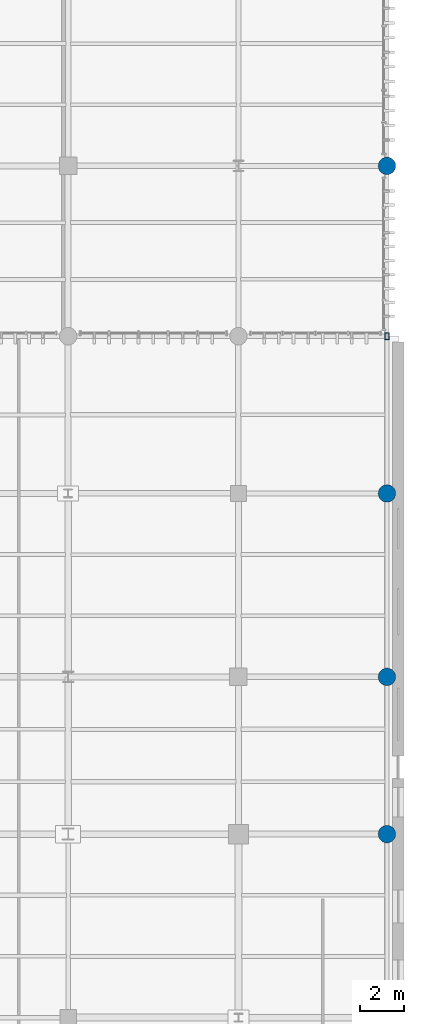
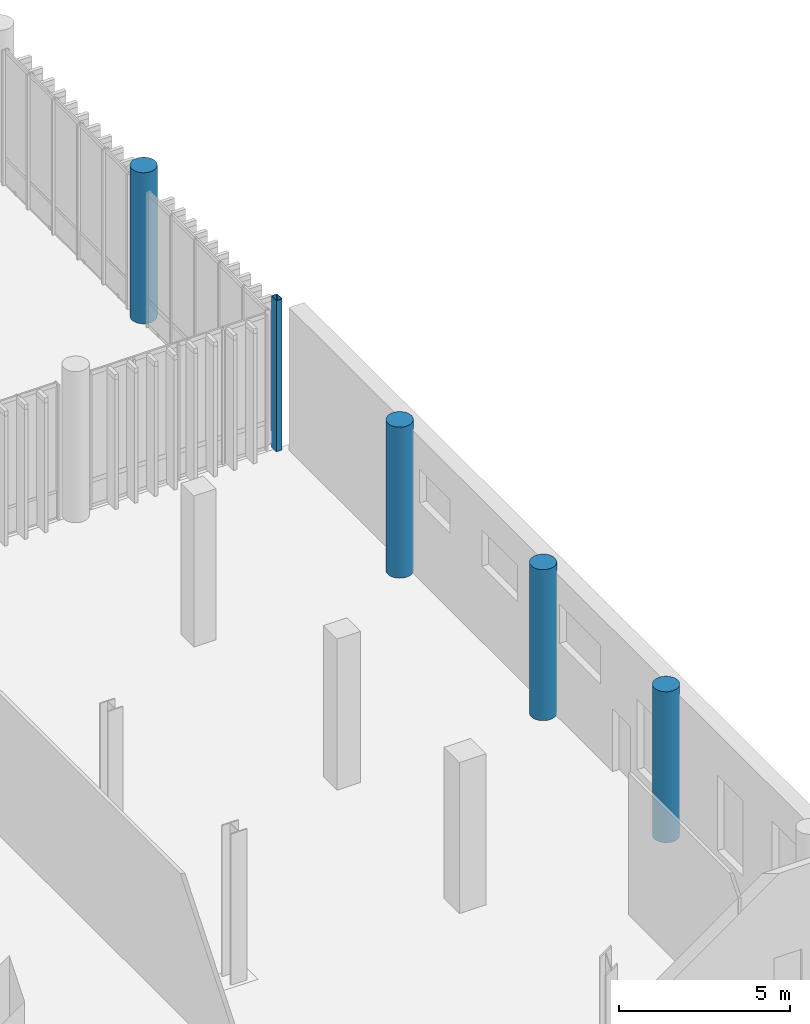
# One storey, part 12 of 112: 5 columns.
"""IFC4 building model written with IfcOpenShell, lengths in metres."""

import ifcopenshell
import ifcopenshell.guid

model = None  # the IFC model being written
_history = None  # IfcOwnerHistory: only IFC2X3 demands one
_inside = {}  # id of a spatial element -> (the spatial element, [elements in it])
_under = {}  # id of a project, library or spatial element -> (it, [spatial elements below it])
_declared = {}  # id of a project -> (the project, [libraries it declares])
_typed = {}  # id of a type object -> (the type object, [elements of that type])
_made_of = {}  # id of a material, layer set ... -> (it, [elements and type objects made of it])


def new_model(schema):
    """Start an empty IFC model of exactly this schema.

    Asked for "IFC4X3", IfcOpenShell would pick the latest addendum, in which some entities
    have other attributes; the version numbers below select the first issue.
    IFC2X3 requires an IfcOwnerHistory on every rooted entity: one is made here for all.
    """
    global model, _history
    if schema == "IFC4X3":
        model = ifcopenshell.file(schema_version=(4, 3, 0, 0))
    else:
        model = ifcopenshell.file(schema=schema)
    _inside.clear()
    _under.clear()
    _declared.clear()
    _typed.clear()
    _made_of.clear()
    _history = None
    if model.schema == "IFC2X3":
        org = make("IfcOrganization", Name="unknown")
        user = make(
            "IfcPersonAndOrganization",
            ThePerson=make("IfcPerson", FamilyName="unknown"),
            TheOrganization=org,
        )
        app = make(
            "IfcApplication",
            ApplicationDeveloper=org,
            Version="unknown",
            ApplicationFullName="unknown",
            ApplicationIdentifier="unknown",
        )
        _history = make(
            "IfcOwnerHistory",
            OwningUser=user,
            OwningApplication=app,
            ChangeAction="ADDED",
            CreationDate=0,
        )
    return model


def make(cls, **values):
    """One entity of the class cls with the attributes given. An attribute that is None is left unset."""
    return model.create_entity(
        cls, **{name: value for name, value in values.items() if value is not None}
    )


def rooted(cls, **values):
    """An entity with a GlobalId (a new one), such as an element, a storey or a relation."""
    return make(cls, GlobalId=ifcopenshell.guid.new(), OwnerHistory=_history, **values)


def si_unit(unit_type, name, prefix=None):
    """IfcSIUnit, for example si_unit("LENGTHUNIT", "METRE", prefix="MILLI")."""
    return make("IfcSIUnit", UnitType=unit_type, Prefix=prefix, Name=name)


def assignment(units):
    """IfcUnitAssignment: the units of a project."""
    return None if units is None else make("IfcUnitAssignment", Units=units)


def point(xyz):
    """IfcCartesianPoint."""
    return None if xyz is None else make("IfcCartesianPoint", Coordinates=xyz)


def direction(xyz):
    """IfcDirection."""
    return None if xyz is None else make("IfcDirection", DirectionRatios=xyz)


def frame(location, z_axis=None, x_axis=None):
    """IfcAxis2Placement3D, a coordinate frame: its origin and axes. An axis left out is left unset."""
    return make(
        "IfcAxis2Placement3D",
        Location=point(location),
        Axis=direction(z_axis),
        RefDirection=direction(x_axis),
    )


def frame_2d(location, x_axis=None):
    """IfcAxis2Placement2D, a coordinate frame in the plane: its origin and x axis."""
    return make(
        "IfcAxis2Placement2D", Location=point(location), RefDirection=direction(x_axis)
    )


def origin_with_axes():
    """The frame at (0, 0, 0) with the z axis (0, 0, 1) and the x axis (1, 0, 0) written out."""
    return frame((0.0, 0.0, 0.0), z_axis=(0.0, 0.0, 1.0), x_axis=(1.0, 0.0, 0.0))


def origin_2d_with_axis():
    """The frame at (0, 0) in the plane with the x axis (1, 0) written out."""
    return frame_2d((0.0, 0.0), x_axis=(1.0, 0.0))


def place(relative_to, where):
    """IfcLocalPlacement: puts the frame where relative to a parent placement (None: the world)."""
    return make(
        "IfcLocalPlacement", PlacementRelTo=relative_to, RelativePlacement=where
    )


def context(
    kind, dimensions, precision=None, world=None, true_north=None, identifier=None
):
    """IfcGeometricRepresentationContext, for example the 3D "Model" context."""
    return make(
        "IfcGeometricRepresentationContext",
        ContextIdentifier=identifier,
        ContextType=kind,
        CoordinateSpaceDimension=dimensions,
        Precision=precision,
        WorldCoordinateSystem=world,
        TrueNorth=true_north,
    )


def subcontext(parent, identifier, kind, view, scale=None):
    """IfcGeometricRepresentationSubContext, for example "Body" below "Model"."""
    return make(
        "IfcGeometricRepresentationSubContext",
        ContextIdentifier=identifier,
        ContextType=kind,
        ParentContext=parent,
        TargetScale=scale,
        TargetView=view,
    )


def project(units=None, contexts=None):
    """IfcProject with its units and contexts."""
    return rooted(
        "IfcProject",
        Name="project",
        RepresentationContexts=contexts,
        UnitsInContext=assignment(units),
    )


def spatial(cls, under=None, at=None, **own):
    """A site, building, storey or space (cls), placed at a placement, below another one or the project."""
    s = rooted(cls, ObjectPlacement=at, **own)
    if under is not None:
        _under.setdefault(under.id(), (under, []))[1].append(s)
    return s


def profile(cls, at=None, kind="AREA", **sizes):
    """A parametric profile (cls). Its sizes go by their IFC names, for example OverallWidth=200.0."""
    return make(cls, ProfileType=kind, Position=at, **sizes)


def hollow_rectangle(**sizes):
    """IfcRectangleHollowProfileDef."""
    return profile("IfcRectangleHollowProfileDef", **sizes)


def circle(**sizes):
    """IfcCircleProfileDef."""
    return profile("IfcCircleProfileDef", **sizes)


def extrude(swept, where, along, depth):
    """IfcExtrudedAreaSolid: the profile swept, set in the frame where, extruded along a direction by depth."""
    return make(
        "IfcExtrudedAreaSolid",
        SweptArea=swept,
        Position=where,
        ExtrudedDirection=direction(along),
        Depth=depth,
    )


def shape(context_of_items, identifier, shape_type, items):
    """IfcShapeRepresentation: the items that make up one representation, for example the "Body"."""
    return make(
        "IfcShapeRepresentation",
        ContextOfItems=context_of_items,
        RepresentationIdentifier=identifier,
        RepresentationType=shape_type,
        Items=items,
    )


def material(Name=None, Category=None):
    """IfcMaterial."""
    return make("IfcMaterial", Name=Name, Category=Category)


def material_profile(
    of_material, cross_section, Name=None, Category=None, Priority=None
):
    """IfcMaterialProfile: a cross section and its material."""
    return make(
        "IfcMaterialProfile",
        Name=Name,
        Material=of_material,
        Profile=cross_section,
        Priority=Priority,
        Category=Category,
    )


def profile_set(profiles, Name=None, composite=None):
    """IfcMaterialProfileSet."""
    return make(
        "IfcMaterialProfileSet",
        Name=Name,
        MaterialProfiles=profiles,
        CompositeProfile=composite,
    )


def made_of(thing, what):
    """Note that an element or type object is made of a material, layer set ...; save() writes the relation."""
    if what is not None:
        _made_of.setdefault(what.id(), (what, []))[1].append(thing)
    return thing


def type_object(cls, material=None, **own):
    """A type object (cls), such as IfcWallType, which elements share."""
    return made_of(rooted(cls, **own), material)


def element(
    cls,
    number,
    at=None,
    inside=None,
    cuts=None,
    type_object=None,
    material=None,
    context=None,
    identifier="Body",
    shape_type=None,
    held_by="IfcProductDefinitionShape",
    body=None,
    shapes=None,
    **own,
):
    """One element of the class cls, such as IfcWall. Its Tag is "e" and its number.

    at: its placement. inside: the storey or other place that contains it. cuts: it is an
    opening in that element (IfcRelVoidsElement). A single representation is given by context,
    identifier, shape_type and body (its items); several are given by shapes. held_by: the class
    of the entity that holds the representations. save() writes the other relations.
    """
    e = rooted(cls, Tag="e%d" % number, ObjectPlacement=at, **own)
    if body is not None:
        shapes = [shape(context, identifier, shape_type, body)]
    if shapes is not None:
        e.Representation = make(held_by, Representations=shapes)
    if inside is not None:
        _inside.setdefault(inside.id(), (inside, []))[1].append(e)
    if cuts is not None:
        rooted(
            "IfcRelVoidsElement", RelatingBuildingElement=cuts, RelatedOpeningElement=e
        )
    if type_object is not None:
        _typed.setdefault(type_object.id(), (type_object, []))[1].append(e)
    return made_of(e, material)


def aggregate(whole, parts):
    """IfcRelAggregates: a whole, such as a stair, and the parts it consists of."""
    return rooted("IfcRelAggregates", RelatingObject=whole, RelatedObjects=parts)


def save(model, path):
    """Write the relations noted so far, then the file.

    IfcRelAggregates (storeys below a building ...), IfcRelContainedInSpatialStructure (elements
    in a storey), IfcRelDefinesByType, IfcRelAssociatesMaterial and IfcRelDeclares: one each for
    every whole, place, type object, material and project.
    """
    for whole, parts in _under.values():
        aggregate(whole, parts)
    for where, things in _inside.values():
        rooted(
            "IfcRelContainedInSpatialStructure",
            RelatedElements=things,
            RelatingStructure=where,
        )
    for kind, things in _typed.values():
        rooted("IfcRelDefinesByType", RelatedObjects=things, RelatingType=kind)
    for what, things in _made_of.values():
        rooted("IfcRelAssociatesMaterial", RelatedObjects=things, RelatingMaterial=what)
    for by, libraries in _declared.values():
        rooted("IfcRelDeclares", RelatingContext=by, RelatedDefinitions=libraries)
    model.write(path)


model = new_model("IFC4")

# Units and contexts
model_context = context("Model", 3, precision=1e-05, world=origin_with_axes(), true_north=direction((0.0, 1.0)))
body_context = subcontext(model_context, "Body", "Model", "MODEL_VIEW")
ifc_project = project(units=[si_unit("LENGTHUNIT", "METRE"), si_unit("AREAUNIT", "SQUARE_METRE"), si_unit("VOLUMEUNIT", "CUBIC_METRE"), si_unit("PLANEANGLEUNIT", "RADIAN"), si_unit("MASSUNIT", "GRAM", prefix="KILO"), si_unit("THERMODYNAMICTEMPERATUREUNIT", "KELVIN")], contexts=[model_context])

# Site, building, storey
site_placement = place(None, origin_with_axes())
site = spatial("IfcSite", under=ifc_project, at=site_placement, CompositionType="ELEMENT")
building_placement = place(site_placement, origin_with_axes())
building = spatial("IfcBuilding", under=site, at=building_placement, Name="Montbau Bow Law Courts", CompositionType="ELEMENT")
storey_placement = place(building_placement, origin_with_axes())
storey = spatial("IfcBuildingStorey", under=building, at=storey_placement, Name="L00", CompositionType="ELEMENT", Elevation=0.0)

# Columns
ifc_material_1 = material(Name="Steel CSA G40.21 Grade 350WT (350 MPa)", Category="steel")
ifc_material_profile_1 = material_profile(ifc_material_1, hollow_rectangle(XDim=0.203, YDim=0.305, WallThickness=0.0127, InnerFilletRadius=0.0254, OuterFilletRadius=0.0127, at=origin_2d_with_axis()), Name="HSS305X203X13", Category="Main", Priority=0)
ifc_profile_set_1 = profile_set([ifc_material_profile_1], Name="Steel CSA G40.21 Grade 350WT (350 MPa)")
column_type_1 = type_object("IfcColumnType", Name="C-HSS-03", PredefinedType="COLUMN", material=ifc_profile_set_1)
column_placement = place(None, frame((169.4, 61.8, 0.0), z_axis=(0.0, 0.0, 1.0), x_axis=(1.0, 0.0, 0.0)))
element("IfcColumn", 1, at=column_placement, inside=storey, type_object=column_type_1, Name="C-L00-S0351:col2_0351", PredefinedType="COLUMN", context=body_context, shape_type="SweptSolid", body=[
    extrude(hollow_rectangle(XDim=0.203, YDim=0.305, WallThickness=0.0127, InnerFilletRadius=0.0254, OuterFilletRadius=0.0127, at=origin_2d_with_axis()), origin_with_axes(), (0.0, 0.0, 1.0), 5.4),
])
ifc_material_2 = material(Name="Concrete CSA A23.1 f'c 40 MPa", Category="concrete")
ifc_material_profile_2 = material_profile(ifc_material_2, circle(Radius=0.4, at=origin_2d_with_axis()), Name="RC800D", Category="Main", Priority=0)
ifc_profile_set_2 = profile_set([ifc_material_profile_2], Name="Concrete CSA A23.1 f'c 40 MPa")
column_type_2 = type_object("IfcColumnType", Name="C-RC-07", PredefinedType="COLUMN", material=ifc_profile_set_2)
for number, where, z_axis, x_axis, name in (
    (2, (169.4, 39.0, 0.0), (0.0, 0.0, 1.0), (1.0, 0.0, 0.0), "C-L00-S0348:col2_0348"),
    (3, (169.4, 46.2, 0.0), (0.0, 0.0, 1.0), (1.0, 0.0, 0.0), "C-L00-S0349:col2_0349"),
    (4, (169.4, 54.6, 0.0), (0.0, 0.0, 1.0), (1.0, 0.0, 0.0), "C-L00-S0350:col2_0350"),
    (5, (169.4, 69.6, 0.0), (0.0, 0.0, 1.0), (1.0, 0.0, 0.0), "C-L00-S0352:col2_0352"),
):
    element("IfcColumn", number, at=place(None, frame(where, z_axis=z_axis, x_axis=x_axis)), inside=storey, type_object=column_type_2, Name=name, PredefinedType="COLUMN", context=body_context, shape_type="SweptSolid", body=[
        extrude(circle(Radius=0.4, at=origin_2d_with_axis()), origin_with_axes(), (0.0, 0.0, 1.0), 5.4),
    ])

save(model, "model.ifc")
